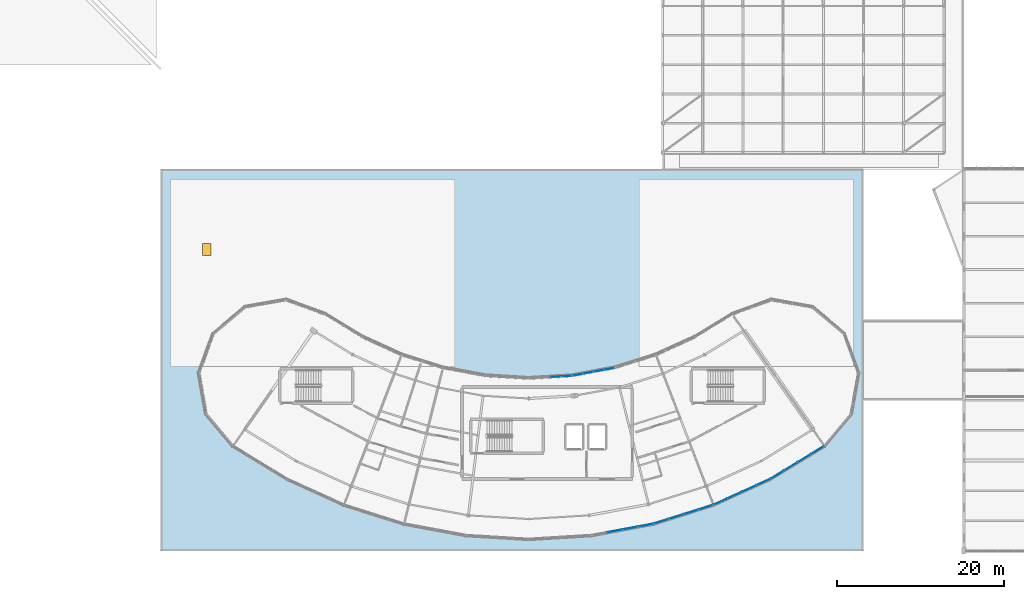
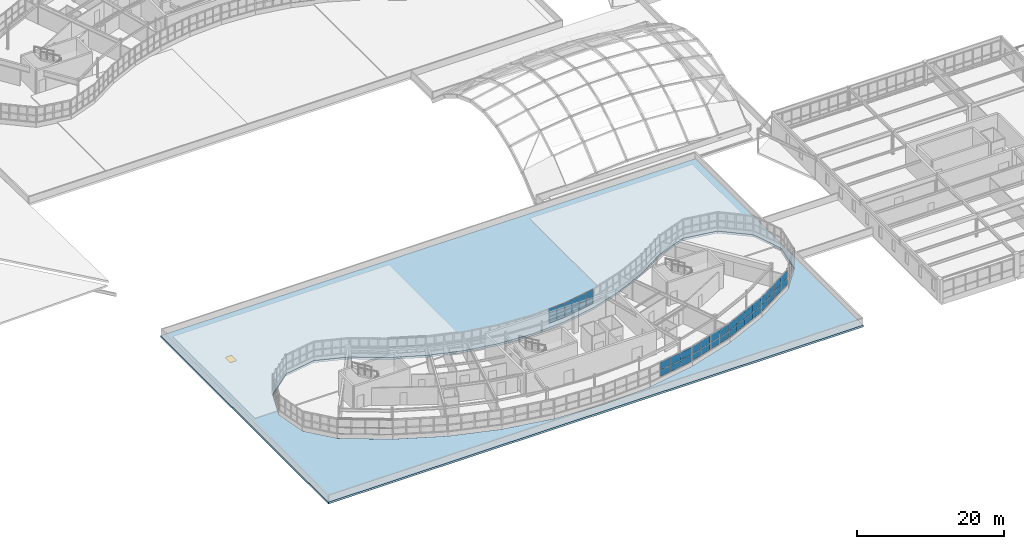
# One storey, part 70 of 128: 42 plates, 1 door, 1 slab, 1 opening, 6 elements without a shape of their own.
"""IFC4 building model written with IfcOpenShell, lengths in metres."""

import ifcopenshell
import ifcopenshell.guid

model = None  # the IFC model being written
_history = None  # IfcOwnerHistory: only IFC2X3 demands one
_inside = {}  # id of a spatial element -> (the spatial element, [elements in it])
_under = {}  # id of a project, library or spatial element -> (it, [spatial elements below it])
_declared = {}  # id of a project -> (the project, [libraries it declares])
_typed = {}  # id of a type object -> (the type object, [elements of that type])
_made_of = {}  # id of a material, layer set ... -> (it, [elements and type objects made of it])


def new_model(schema):
    """Start an empty IFC model of exactly this schema.

    Asked for "IFC4X3", IfcOpenShell would pick the latest addendum, in which some entities
    have other attributes; the version numbers below select the first issue.
    IFC2X3 requires an IfcOwnerHistory on every rooted entity: one is made here for all.
    """
    global model, _history
    if schema == "IFC4X3":
        model = ifcopenshell.file(schema_version=(4, 3, 0, 0))
    else:
        model = ifcopenshell.file(schema=schema)
    _inside.clear()
    _under.clear()
    _declared.clear()
    _typed.clear()
    _made_of.clear()
    _history = None
    if model.schema == "IFC2X3":
        org = make("IfcOrganization", Name="unknown")
        user = make(
            "IfcPersonAndOrganization",
            ThePerson=make("IfcPerson", FamilyName="unknown"),
            TheOrganization=org,
        )
        app = make(
            "IfcApplication",
            ApplicationDeveloper=org,
            Version="unknown",
            ApplicationFullName="unknown",
            ApplicationIdentifier="unknown",
        )
        _history = make(
            "IfcOwnerHistory",
            OwningUser=user,
            OwningApplication=app,
            ChangeAction="ADDED",
            CreationDate=0,
        )
    return model


def make(cls, **values):
    """One entity of the class cls with the attributes given. An attribute that is None is left unset."""
    return model.create_entity(
        cls, **{name: value for name, value in values.items() if value is not None}
    )


def rooted(cls, **values):
    """An entity with a GlobalId (a new one), such as an element, a storey or a relation."""
    return make(cls, GlobalId=ifcopenshell.guid.new(), OwnerHistory=_history, **values)


def si_unit(unit_type, name, prefix=None):
    """IfcSIUnit, for example si_unit("LENGTHUNIT", "METRE", prefix="MILLI")."""
    return make("IfcSIUnit", UnitType=unit_type, Prefix=prefix, Name=name)


def assignment(units):
    """IfcUnitAssignment: the units of a project."""
    return None if units is None else make("IfcUnitAssignment", Units=units)


def point(xyz):
    """IfcCartesianPoint."""
    return None if xyz is None else make("IfcCartesianPoint", Coordinates=xyz)


def direction(xyz):
    """IfcDirection."""
    return None if xyz is None else make("IfcDirection", DirectionRatios=xyz)


def frame(location, z_axis=None, x_axis=None):
    """IfcAxis2Placement3D, a coordinate frame: its origin and axes. An axis left out is left unset."""
    return make(
        "IfcAxis2Placement3D",
        Location=point(location),
        Axis=direction(z_axis),
        RefDirection=direction(x_axis),
    )


def frame_2d(location, x_axis=None):
    """IfcAxis2Placement2D, a coordinate frame in the plane: its origin and x axis."""
    return make(
        "IfcAxis2Placement2D", Location=point(location), RefDirection=direction(x_axis)
    )


def origin():
    """The frame at (0, 0, 0) with its axes left unset."""
    return frame((0.0, 0.0, 0.0))


def origin_2d():
    """The frame at (0, 0) in the plane with its x axis left unset."""
    return frame_2d((0.0, 0.0))


def place(relative_to, where):
    """IfcLocalPlacement: puts the frame where relative to a parent placement (None: the world)."""
    return make(
        "IfcLocalPlacement", PlacementRelTo=relative_to, RelativePlacement=where
    )


def context(
    kind, dimensions, precision=None, world=None, true_north=None, identifier=None
):
    """IfcGeometricRepresentationContext, for example the 3D "Model" context."""
    return make(
        "IfcGeometricRepresentationContext",
        ContextIdentifier=identifier,
        ContextType=kind,
        CoordinateSpaceDimension=dimensions,
        Precision=precision,
        WorldCoordinateSystem=world,
        TrueNorth=true_north,
    )


def subcontext(parent, identifier, kind, view, scale=None):
    """IfcGeometricRepresentationSubContext, for example "Body" below "Model"."""
    return make(
        "IfcGeometricRepresentationSubContext",
        ContextIdentifier=identifier,
        ContextType=kind,
        ParentContext=parent,
        TargetScale=scale,
        TargetView=view,
    )


def project(units=None, contexts=None):
    """IfcProject with its units and contexts."""
    return rooted(
        "IfcProject",
        Name="project",
        RepresentationContexts=contexts,
        UnitsInContext=assignment(units),
    )


def spatial(cls, under=None, at=None, **own):
    """A site, building, storey or space (cls), placed at a placement, below another one or the project."""
    s = rooted(cls, ObjectPlacement=at, **own)
    if under is not None:
        _under.setdefault(under.id(), (under, []))[1].append(s)
    return s


def polyline(points):
    """IfcPolyline through the points."""
    return make("IfcPolyline", Points=[point(p) for p in points])


def profile(cls, at=None, kind="AREA", **sizes):
    """A parametric profile (cls). Its sizes go by their IFC names, for example OverallWidth=200.0."""
    return make(cls, ProfileType=kind, Position=at, **sizes)


def rectangle(**sizes):
    """IfcRectangleProfileDef."""
    return profile("IfcRectangleProfileDef", **sizes)


def outline(outer, holes=None, kind="AREA"):
    """IfcArbitraryClosedProfileDef: a profile drawn as a closed curve; with holes, ...WithVoids."""
    if holes is None:
        return make("IfcArbitraryClosedProfileDef", ProfileType=kind, OuterCurve=outer)
    return make(
        "IfcArbitraryProfileDefWithVoids",
        ProfileType=kind,
        OuterCurve=outer,
        InnerCurves=holes,
    )


def extrude(swept, where, along, depth):
    """IfcExtrudedAreaSolid: the profile swept, set in the frame where, extruded along a direction by depth."""
    return make(
        "IfcExtrudedAreaSolid",
        SweptArea=swept,
        Position=where,
        ExtrudedDirection=direction(along),
        Depth=depth,
    )


def shape(context_of_items, identifier, shape_type, items):
    """IfcShapeRepresentation: the items that make up one representation, for example the "Body"."""
    return make(
        "IfcShapeRepresentation",
        ContextOfItems=context_of_items,
        RepresentationIdentifier=identifier,
        RepresentationType=shape_type,
        Items=items,
    )


def material(Name=None, Category=None):
    """IfcMaterial."""
    return make("IfcMaterial", Name=Name, Category=Category)


def layer(
    of_material, thickness, ventilated=None, Name=None, Category=None, Priority=None
):
    """IfcMaterialLayer: one layer of a wall or slab, of a material (None: an air gap)."""
    return make(
        "IfcMaterialLayer",
        Material=of_material,
        LayerThickness=thickness,
        IsVentilated=ventilated,
        Name=Name,
        Category=Category,
        Priority=Priority,
    )


def layer_set(layers, Name=None):
    """IfcMaterialLayerSet."""
    return make("IfcMaterialLayerSet", MaterialLayers=layers, LayerSetName=Name)


def made_of(thing, what):
    """Note that an element or type object is made of a material, layer set ...; save() writes the relation."""
    if what is not None:
        _made_of.setdefault(what.id(), (what, []))[1].append(thing)
    return thing


def type_object(cls, material=None, **own):
    """A type object (cls), such as IfcWallType, which elements share."""
    return made_of(rooted(cls, **own), material)


def element(
    cls,
    number,
    at=None,
    inside=None,
    cuts=None,
    type_object=None,
    material=None,
    context=None,
    identifier="Body",
    shape_type=None,
    held_by="IfcProductDefinitionShape",
    body=None,
    shapes=None,
    **own,
):
    """One element of the class cls, such as IfcWall. Its Tag is "e" and its number.

    at: its placement. inside: the storey or other place that contains it. cuts: it is an
    opening in that element (IfcRelVoidsElement). A single representation is given by context,
    identifier, shape_type and body (its items); several are given by shapes. held_by: the class
    of the entity that holds the representations. save() writes the other relations.
    """
    e = rooted(cls, Tag="e%d" % number, ObjectPlacement=at, **own)
    if body is not None:
        shapes = [shape(context, identifier, shape_type, body)]
    if shapes is not None:
        e.Representation = make(held_by, Representations=shapes)
    if inside is not None:
        _inside.setdefault(inside.id(), (inside, []))[1].append(e)
    if cuts is not None:
        rooted(
            "IfcRelVoidsElement", RelatingBuildingElement=cuts, RelatedOpeningElement=e
        )
    if type_object is not None:
        _typed.setdefault(type_object.id(), (type_object, []))[1].append(e)
    return made_of(e, material)


def fill(opening, filler):
    """IfcRelFillsElement: the door or window that sits in an opening."""
    return rooted(
        "IfcRelFillsElement",
        RelatingOpeningElement=opening,
        RelatedBuildingElement=filler,
    )


def aggregate(whole, parts):
    """IfcRelAggregates: a whole, such as a stair, and the parts it consists of."""
    return rooted("IfcRelAggregates", RelatingObject=whole, RelatedObjects=parts)


def save(model, path):
    """Write the relations noted so far, then the file.

    IfcRelAggregates (storeys below a building ...), IfcRelContainedInSpatialStructure (elements
    in a storey), IfcRelDefinesByType, IfcRelAssociatesMaterial and IfcRelDeclares: one each for
    every whole, place, type object, material and project.
    """
    for whole, parts in _under.values():
        aggregate(whole, parts)
    for where, things in _inside.values():
        rooted(
            "IfcRelContainedInSpatialStructure",
            RelatedElements=things,
            RelatingStructure=where,
        )
    for kind, things in _typed.values():
        rooted("IfcRelDefinesByType", RelatedObjects=things, RelatingType=kind)
    for what, things in _made_of.values():
        rooted("IfcRelAssociatesMaterial", RelatedObjects=things, RelatingMaterial=what)
    for by, libraries in _declared.values():
        rooted("IfcRelDeclares", RelatingContext=by, RelatedDefinitions=libraries)
    model.write(path)


model = new_model("IFC4")

# Units and contexts
model_context = context("Model", 3, precision=1e-05, world=origin(), true_north=direction((0.0, 1.0)))
body_context = subcontext(model_context, "Body", "Model", "MODEL_VIEW")
ifc_project = project(units=[si_unit("LENGTHUNIT", "METRE"), si_unit("AREAUNIT", "SQUARE_METRE"), si_unit("VOLUMEUNIT", "CUBIC_METRE"), si_unit("PLANEANGLEUNIT", "RADIAN"), si_unit("MASSUNIT", "GRAM", prefix="KILO")], contexts=[model_context])

# Site, building, storey
site_placement = place(None, origin())
site = spatial("IfcSite", under=ifc_project, at=site_placement, CompositionType="ELEMENT")
building_placement = place(site_placement, origin())
building = spatial("IfcBuilding", under=site, at=building_placement, Name="Tarnwether General Hospital", CompositionType="ELEMENT")
storey_placement = place(building_placement, frame((0.0, 0.0, 14.39990234375)))
storey = spatial("IfcBuildingStorey", under=building, at=storey_placement, Name="L03", CompositionType="ELEMENT", Elevation=14.39990234375)

# Curtain wall, plates
ifc_material_1 = material(Name="Anodised aluminium", Category="aluminium")
ifc_layer_1 = layer(ifc_material_1, 0.179931640625)
ifc_layer_set_1 = layer_set([ifc_layer_1], Name="Anodised aluminium")
curtain_wall_type_1 = type_object("IfcCurtainWallType", Name="CW-08", PredefinedType="NOTDEFINED", material=ifc_layer_set_1)
curtain_wall_1_placement = place(storey_placement, origin())
curtain_wall_1 = element("IfcCurtainWall", 1, at=curtain_wall_1_placement, inside=storey, type_object=curtain_wall_type_1, Name="Curtain Wall CWG-L03-1141_55-0161", PredefinedType="NOTDEFINED")
ifc_material_2 = material(Name="Double glazed low-E glass", Category="glass")
ifc_layer_2 = layer(ifc_material_2, 0.028076171875)
ifc_layer_set_2 = layer_set([ifc_layer_2], Name="Double glazed low-E glass")
plate_type_1 = type_object("IfcPlateType", Name="PT-CWP1", PredefinedType="CURTAIN_PANEL", material=ifc_layer_set_2)
plate_1_placement = place(storey_placement, frame((113.1591796875, 5.202392578125, 1.1298828125), z_axis=(0.0, 0.0, 1.0), x_axis=(-0.953741284032, -0.300628613299, 0.0)))
plate_1 = element("IfcPlate", 2, at=plate_1_placement, type_object=plate_type_1, Name="CW-08 panel 1.1", PredefinedType="CURTAIN_PANEL", context=body_context, shape_type="SweptSolid", body=[
    extrude(rectangle(XDim=1.76025390625, YDim=0.028076171875, at=origin_2d()), origin(), (0.0, 0.0, 1.0), 1.009521484375),
])
plate_2_placement = place(storey_placement, frame((113.1591796875, 5.202392578125, 2.2197265625), z_axis=(0.0, 0.0, 1.0), x_axis=(-0.953741284032, -0.300628613299, 0.0)))
plate_2 = element("IfcPlate", 3, at=plate_2_placement, type_object=plate_type_1, Name="CW-08 panel 1.2", PredefinedType="CURTAIN_PANEL", context=body_context, shape_type="SweptSolid", body=[
    extrude(rectangle(XDim=1.76025390625, YDim=0.028076171875, at=origin_2d()), origin(), (0.0, 0.0, 1.0), 1.260498046875),
])
plate_3_placement = place(storey_placement, frame((111.385009765625, 4.64306640625, 1.1298828125), z_axis=(0.0, 0.0, 1.0), x_axis=(-0.953741284032, -0.300628613299, 0.0)))
plate_3 = element("IfcPlate", 4, at=plate_3_placement, type_object=plate_type_1, Name="CW-08 panel 2.1", PredefinedType="CURTAIN_PANEL", context=body_context, shape_type="SweptSolid", body=[
    extrude(rectangle(XDim=1.80029296875, YDim=0.028076171875, at=origin_2d()), origin(), (0.0, 0.0, 1.0), 1.009521484375),
])
plate_4_placement = place(storey_placement, frame((111.385009765625, 4.64306640625, 2.2197265625), z_axis=(0.0, 0.0, 1.0), x_axis=(-0.953741284032, -0.300628613299, 0.0)))
plate_4 = element("IfcPlate", 5, at=plate_4_placement, type_object=plate_type_1, Name="CW-08 panel 2.2", PredefinedType="CURTAIN_PANEL", context=body_context, shape_type="SweptSolid", body=[
    extrude(rectangle(XDim=1.80029296875, YDim=0.028076171875, at=origin_2d()), origin(), (0.0, 0.0, 1.0), 1.260498046875),
])
plate_5_placement = place(storey_placement, frame((109.591796875, 4.077880859375, 1.1298828125), z_axis=(0.0, 0.0, 1.0), x_axis=(-0.953741284032, -0.300628613299, 0.0)))
plate_5 = element("IfcPlate", 6, at=plate_5_placement, type_object=plate_type_1, Name="CW-08 panel 3.1", PredefinedType="CURTAIN_PANEL", context=body_context, shape_type="SweptSolid", body=[
    extrude(rectangle(XDim=1.80029296875, YDim=0.028076171875, at=origin_2d()), origin(), (0.0, 0.0, 1.0), 1.009521484375),
])
plate_6_placement = place(storey_placement, frame((109.591796875, 4.077880859375, 2.2197265625), z_axis=(0.0, 0.0, 1.0), x_axis=(-0.953741284032, -0.300628613299, 0.0)))
plate_6 = element("IfcPlate", 7, at=plate_6_placement, type_object=plate_type_1, Name="CW-08 panel 3.2", PredefinedType="CURTAIN_PANEL", context=body_context, shape_type="SweptSolid", body=[
    extrude(rectangle(XDim=1.80029296875, YDim=0.028076171875, at=origin_2d()), origin(), (0.0, 0.0, 1.0), 1.260498046875),
])
plate_7_placement = place(storey_placement, frame((107.817626953125, 3.5185546875, 1.1298828125), z_axis=(0.0, 0.0, 1.0), x_axis=(-0.953741284032, -0.300628613299, 0.0)))
plate_7 = element("IfcPlate", 8, at=plate_7_placement, type_object=plate_type_1, Name="CW-08 panel 4.1", PredefinedType="CURTAIN_PANEL", context=body_context, shape_type="SweptSolid", body=[
    extrude(rectangle(XDim=1.76025390625, YDim=0.028076171875, at=origin_2d()), origin(), (0.0, 0.0, 1.0), 1.009521484375),
])
plate_8_placement = place(storey_placement, frame((107.817626953125, 3.5185546875, 2.2197265625), z_axis=(0.0, 0.0, 1.0), x_axis=(-0.953741284032, -0.300628613299, 0.0)))
plate_8 = element("IfcPlate", 9, at=plate_8_placement, type_object=plate_type_1, Name="CW-08 panel 4.2", PredefinedType="CURTAIN_PANEL", context=body_context, shape_type="SweptSolid", body=[
    extrude(rectangle(XDim=1.76025390625, YDim=0.028076171875, at=origin_2d()), origin(), (0.0, 0.0, 1.0), 1.260498046875),
])
aggregate(curtain_wall_1, [plate_1, plate_2, plate_3, plate_4, plate_5, plate_6, plate_7, plate_8])

curtain_wall_2_placement = place(storey_placement, origin())
curtain_wall_2 = element("IfcCurtainWall", 10, at=curtain_wall_2_placement, inside=storey, type_object=curtain_wall_type_1, Name="Curtain Wall CWG-L03-1209_86-0162", PredefinedType="NOTDEFINED")
plate_9_placement = place(storey_placement, frame((120.0498046875, 8.2138671875, 1.110107421875), z_axis=(0.0, 0.0, 1.0), x_axis=(-0.909960793886, -0.414694289316, 0.0)))
plate_9 = element("IfcPlate", 11, at=plate_9_placement, type_object=plate_type_1, Name="CW-08 panel 1.1", PredefinedType="CURTAIN_PANEL", context=body_context, shape_type="SweptSolid", body=[
    extrude(rectangle(XDim=1.790283203125, YDim=0.028076171875, at=origin_2d()), origin(), (0.0, 0.0, 1.0), 1.03955078125),
])
plate_10_placement = place(storey_placement, frame((120.0498046875, 8.2138671875, 2.20947265625), z_axis=(0.0, 0.0, 1.0), x_axis=(-0.909960793886, -0.414694289316, 0.0)))
plate_10 = element("IfcPlate", 12, at=plate_10_placement, type_object=plate_type_1, Name="CW-08 panel 1.2", PredefinedType="CURTAIN_PANEL", context=body_context, shape_type="SweptSolid", body=[
    extrude(rectangle(XDim=1.790283203125, YDim=0.028076171875, at=origin_2d()), origin(), (0.0, 0.0, 1.0), 1.29052734375),
])
plate_11_placement = place(storey_placement, frame((118.3525390625, 7.4404296875, 1.110107421875), z_axis=(0.0, 0.0, 1.0), x_axis=(-0.909960793886, -0.414694289316, 0.0)))
plate_11 = element("IfcPlate", 13, at=plate_11_placement, type_object=plate_type_1, Name="CW-08 panel 2.1", PredefinedType="CURTAIN_PANEL", context=body_context, shape_type="SweptSolid", body=[
    extrude(rectangle(XDim=1.8203125, YDim=0.028076171875, at=origin_2d()), origin(), (0.0, 0.0, 1.0), 1.03955078125),
])
plate_12_placement = place(storey_placement, frame((118.3525390625, 7.4404296875, 2.20947265625), z_axis=(0.0, 0.0, 1.0), x_axis=(-0.909960793886, -0.414694289316, 0.0)))
plate_12 = element("IfcPlate", 14, at=plate_12_placement, type_object=plate_type_1, Name="CW-08 panel 2.2", PredefinedType="CURTAIN_PANEL", context=body_context, shape_type="SweptSolid", body=[
    extrude(rectangle(XDim=1.8203125, YDim=0.028076171875, at=origin_2d()), origin(), (0.0, 0.0, 1.0), 1.29052734375),
])
plate_13_placement = place(storey_placement, frame((116.6416015625, 6.66064453125, 1.110107421875), z_axis=(0.0, 0.0, 1.0), x_axis=(-0.909960793886, -0.414694289316, 0.0)))
plate_13 = element("IfcPlate", 15, at=plate_13_placement, type_object=plate_type_1, Name="CW-08 panel 3.1", PredefinedType="CURTAIN_PANEL", context=body_context, shape_type="SweptSolid", body=[
    extrude(rectangle(XDim=1.8203125, YDim=0.028076171875, at=origin_2d()), origin(), (0.0, 0.0, 1.0), 1.03955078125),
])
plate_14_placement = place(storey_placement, frame((116.6416015625, 6.66064453125, 2.20947265625), z_axis=(0.0, 0.0, 1.0), x_axis=(-0.909960793886, -0.414694289316, 0.0)))
plate_14 = element("IfcPlate", 16, at=plate_14_placement, type_object=plate_type_1, Name="CW-08 panel 3.2", PredefinedType="CURTAIN_PANEL", context=body_context, shape_type="SweptSolid", body=[
    extrude(rectangle(XDim=1.8203125, YDim=0.028076171875, at=origin_2d()), origin(), (0.0, 0.0, 1.0), 1.29052734375),
])
plate_15_placement = place(storey_placement, frame((114.944091796875, 5.88720703125, 1.110107421875), z_axis=(0.0, 0.0, 1.0), x_axis=(-0.909960793886, -0.414694289316, 0.0)))
plate_15 = element("IfcPlate", 17, at=plate_15_placement, type_object=plate_type_1, Name="CW-08 panel 4.1", PredefinedType="CURTAIN_PANEL", context=body_context, shape_type="SweptSolid", body=[
    extrude(rectangle(XDim=1.790283203125, YDim=0.028076171875, at=origin_2d()), origin(), (0.0, 0.0, 1.0), 1.03955078125),
])
plate_16_placement = place(storey_placement, frame((114.944091796875, 5.88720703125, 2.20947265625), z_axis=(0.0, 0.0, 1.0), x_axis=(-0.909960793886, -0.414694289316, 0.0)))
plate_16 = element("IfcPlate", 18, at=plate_16_placement, type_object=plate_type_1, Name="CW-08 panel 4.2", PredefinedType="CURTAIN_PANEL", context=body_context, shape_type="SweptSolid", body=[
    extrude(rectangle(XDim=1.790283203125, YDim=0.028076171875, at=origin_2d()), origin(), (0.0, 0.0, 1.0), 1.29052734375),
])
aggregate(curtain_wall_2, [plate_9, plate_10, plate_11, plate_12, plate_13, plate_14, plate_15, plate_16])

ifc_material_3 = material(Name="Anodised aluminium", Category="aluminium")
ifc_layer_3 = layer(ifc_material_3, 0.159912109375)
ifc_layer_set_3 = layer_set([ifc_layer_3], Name="Anodised aluminium")
curtain_wall_type_2 = type_object("IfcCurtainWallType", Name="CW-04", PredefinedType="NOTDEFINED", material=ifc_layer_set_3)
curtain_wall_3_placement = place(storey_placement, origin())
curtain_wall_3 = element("IfcCurtainWall", 19, at=curtain_wall_3_placement, inside=storey, type_object=curtain_wall_type_2, Name="Curtain Wall CWG-L03-972_209-0173", PredefinedType="NOTDEFINED")
plate_17_placement = place(storey_placement, frame((97.822998046875, 21.03759765625, 1.1298828125), z_axis=(0.0, 0.0, 1.0), x_axis=(0.983267910924, 0.182165351666, 0.0)))
plate_17 = element("IfcPlate", 20, at=plate_17_placement, type_object=plate_type_1, Name="CW-04 panel 1.1", PredefinedType="CURTAIN_PANEL", context=body_context, shape_type="SweptSolid", body=[
    extrude(rectangle(XDim=1.174072265625, YDim=0.028076171875, at=origin_2d()), origin(), (0.0, 0.0, 1.0), 1.009521484375),
])
plate_18_placement = place(storey_placement, frame((97.822998046875, 21.03759765625, 2.2197265625), z_axis=(0.0, 0.0, 1.0), x_axis=(0.983267910924, 0.182165351666, 0.0)))
plate_18 = element("IfcPlate", 21, at=plate_18_placement, type_object=plate_type_1, Name="CW-04 panel 1.2", PredefinedType="CURTAIN_PANEL", context=body_context, shape_type="SweptSolid", body=[
    extrude(rectangle(XDim=1.174072265625, YDim=0.028076171875, at=origin_2d()), origin(), (0.0, 0.0, 1.0), 1.260498046875),
])
plate_19_placement = place(storey_placement, frame((99.07568359375, 21.26953125, 1.1298828125), z_axis=(0.0, 0.0, 1.0), x_axis=(0.983267910924, 0.182165351666, 0.0)))
plate_19 = element("IfcPlate", 22, at=plate_19_placement, type_object=plate_type_1, Name="CW-04 panel 2.1", PredefinedType="CURTAIN_PANEL", context=body_context, shape_type="SweptSolid", body=[
    extrude(rectangle(XDim=1.214111328125, YDim=0.028076171875, at=origin_2d()), origin(), (0.0, 0.0, 1.0), 1.009521484375),
])
plate_20_placement = place(storey_placement, frame((99.07568359375, 21.26953125, 2.2197265625), z_axis=(0.0, 0.0, 1.0), x_axis=(0.983267910924, 0.182165351666, 0.0)))
plate_20 = element("IfcPlate", 23, at=plate_20_placement, type_object=plate_type_1, Name="CW-04 panel 2.2", PredefinedType="CURTAIN_PANEL", context=body_context, shape_type="SweptSolid", body=[
    extrude(rectangle(XDim=1.214111328125, YDim=0.028076171875, at=origin_2d()), origin(), (0.0, 0.0, 1.0), 1.260498046875),
])
plate_21_placement = place(storey_placement, frame((100.34814453125, 21.50537109375, 1.1298828125), z_axis=(0.0, 0.0, 1.0), x_axis=(0.983267910924, 0.182165351666, 0.0)))
plate_21 = element("IfcPlate", 24, at=plate_21_placement, type_object=plate_type_1, Name="CW-04 panel 3.1", PredefinedType="CURTAIN_PANEL", context=body_context, shape_type="SweptSolid", body=[
    extrude(rectangle(XDim=1.214111328125, YDim=0.028076171875, at=origin_2d()), origin(), (0.0, 0.0, 1.0), 1.009521484375),
])
plate_22_placement = place(storey_placement, frame((100.34814453125, 21.50537109375, 2.2197265625), z_axis=(0.0, 0.0, 1.0), x_axis=(0.983267910924, 0.182165351666, 0.0)))
plate_22 = element("IfcPlate", 25, at=plate_22_placement, type_object=plate_type_1, Name="CW-04 panel 3.2", PredefinedType="CURTAIN_PANEL", context=body_context, shape_type="SweptSolid", body=[
    extrude(rectangle(XDim=1.214111328125, YDim=0.028076171875, at=origin_2d()), origin(), (0.0, 0.0, 1.0), 1.260498046875),
])
plate_23_placement = place(storey_placement, frame((101.60107421875, 21.737548828125, 1.1298828125), z_axis=(0.0, 0.0, 1.0), x_axis=(0.983267910924, 0.182165351666, 0.0)))
plate_23 = element("IfcPlate", 26, at=plate_23_placement, type_object=plate_type_1, Name="CW-04 panel 4.1", PredefinedType="CURTAIN_PANEL", context=body_context, shape_type="SweptSolid", body=[
    extrude(rectangle(XDim=1.174072265625, YDim=0.028076171875, at=origin_2d()), origin(), (0.0, 0.0, 1.0), 1.009521484375),
])
plate_24_placement = place(storey_placement, frame((101.60107421875, 21.737548828125, 2.2197265625), z_axis=(0.0, 0.0, 1.0), x_axis=(0.983267910924, 0.182165351666, 0.0)))
plate_24 = element("IfcPlate", 27, at=plate_24_placement, type_object=plate_type_1, Name="CW-04 panel 4.2", PredefinedType="CURTAIN_PANEL", context=body_context, shape_type="SweptSolid", body=[
    extrude(rectangle(XDim=1.174072265625, YDim=0.028076171875, at=origin_2d()), origin(), (0.0, 0.0, 1.0), 1.260498046875),
])
aggregate(curtain_wall_3, [plate_17, plate_18, plate_19, plate_20, plate_21, plate_22, plate_23, plate_24])

curtain_wall_4_placement = place(storey_placement, origin())
curtain_wall_4 = element("IfcCurtainWall", 28, at=curtain_wall_4_placement, inside=storey, type_object=curtain_wall_type_2, Name="Curtain Wall CWG-L03-920_206-0174", PredefinedType="NOTDEFINED")
plate_25_placement = place(storey_placement, frame((95.2294921875, 20.797607421875, 1.110107421875), z_axis=(0.0, 0.0, 1.0), x_axis=(0.998135119267, 0.06104329354, 0.0)))
plate_25 = element("IfcPlate", 29, at=plate_25_placement, type_object=plate_type_1, Name="CW-04 panel 3.1", PredefinedType="CURTAIN_PANEL", context=body_context, shape_type="SweptSolid", body=[
    extrude(rectangle(XDim=1.234130859375, YDim=0.028076171875, at=origin_2d()), origin(), (0.0, 0.0, 1.0), 1.03955078125),
])
plate_26_placement = place(storey_placement, frame((95.2294921875, 20.797607421875, 2.20947265625), z_axis=(0.0, 0.0, 1.0), x_axis=(0.998135119267, 0.06104329354, 0.0)))
plate_26 = element("IfcPlate", 30, at=plate_26_placement, type_object=plate_type_1, Name="CW-04 panel 3.2", PredefinedType="CURTAIN_PANEL", context=body_context, shape_type="SweptSolid", body=[
    extrude(rectangle(XDim=1.234130859375, YDim=0.028076171875, at=origin_2d()), origin(), (0.0, 0.0, 1.0), 1.29052734375),
])
plate_27_placement = place(storey_placement, frame((96.506103515625, 20.87548828125, 1.110107421875), z_axis=(0.0, 0.0, 1.0), x_axis=(0.998135119267, 0.06104329354, 0.0)))
plate_27 = element("IfcPlate", 31, at=plate_27_placement, type_object=plate_type_1, Name="CW-04 panel 4.1", PredefinedType="CURTAIN_PANEL", context=body_context, shape_type="SweptSolid", body=[
    extrude(rectangle(XDim=1.2041015625, YDim=0.028076171875, at=origin_2d()), origin(), (0.0, 0.0, 1.0), 1.03955078125),
])
plate_28_placement = place(storey_placement, frame((96.506103515625, 20.87548828125, 2.20947265625), z_axis=(0.0, 0.0, 1.0), x_axis=(0.998135119267, 0.06104329354, 0.0)))
plate_28 = element("IfcPlate", 32, at=plate_28_placement, type_object=plate_type_1, Name="CW-04 panel 4.2", PredefinedType="CURTAIN_PANEL", context=body_context, shape_type="SweptSolid", body=[
    extrude(rectangle(XDim=1.2041015625, YDim=0.028076171875, at=origin_2d()), origin(), (0.0, 0.0, 1.0), 1.29052734375),
])
aggregate(curtain_wall_4, [plate_25, plate_26, plate_27, plate_28])

curtain_wall_5_placement = place(storey_placement, origin())
curtain_wall_5 = element("IfcCurtainWall", 33, at=curtain_wall_5_placement, inside=storey, type_object=curtain_wall_type_1, Name="Curtain Wall CWG-L03-1069_32-0160", PredefinedType="NOTDEFINED")
ifc_material_4 = material(Name="Double glazed low-E glass", Category="glass")
ifc_layer_4 = layer(ifc_material_4, 0.035888671875)
ifc_layer_set_4 = layer_set([ifc_layer_4], Name="Double glazed low-E glass")
plate_type_2 = type_object("IfcPlateType", Name="PT-CWP2", PredefinedType="CURTAIN_PANEL", material=ifc_layer_set_4)
plate_29_placement = place(storey_placement, frame((105.961669921875, 3.0556640625, 1.115234375), z_axis=(0.0, 0.0, 1.0), x_axis=(-0.983244953132, -0.182289226614, 0.0)))
plate_29 = element("IfcPlate", 34, at=plate_29_placement, type_object=plate_type_2, Name="CW-08 panel 1.1", PredefinedType="CURTAIN_PANEL", context=body_context, shape_type="SweptSolid", body=[
    extrude(rectangle(XDim=1.78271484375, YDim=0.035888671875, at=origin_2d()), origin(), (0.0, 0.0, 1.0), 1.031982421875),
])
plate_30_placement = place(storey_placement, frame((105.961669921875, 3.0556640625, 2.2119140625), z_axis=(0.0, 0.0, 1.0), x_axis=(-0.983244953132, -0.182289226614, 0.0)))
plate_30 = element("IfcPlate", 35, at=plate_30_placement, type_object=plate_type_2, Name="CW-08 panel 1.2", PredefinedType="CURTAIN_PANEL", context=body_context, shape_type="SweptSolid", body=[
    extrude(rectangle(XDim=1.78271484375, YDim=0.035888671875, at=origin_2d()), origin(), (0.0, 0.0, 1.0), 1.282958984375),
])
plate_31_placement = place(storey_placement, frame((104.12890625, 2.7158203125, 1.115234375), z_axis=(0.0, 0.0, 1.0), x_axis=(-0.983244953132, -0.182289226614, 0.0)))
plate_31 = element("IfcPlate", 36, at=plate_31_placement, type_object=plate_type_2, Name="CW-08 panel 2.1", PredefinedType="CURTAIN_PANEL", context=body_context, shape_type="SweptSolid", body=[
    extrude(rectangle(XDim=1.815185546875, YDim=0.035888671875, at=origin_2d()), origin(), (0.0, 0.0, 1.0), 1.031982421875),
])
plate_32_placement = place(storey_placement, frame((104.12890625, 2.7158203125, 2.2119140625), z_axis=(0.0, 0.0, 1.0), x_axis=(-0.983244953132, -0.182289226614, 0.0)))
plate_32 = element("IfcPlate", 37, at=plate_32_placement, type_object=plate_type_2, Name="CW-08 panel 2.2", PredefinedType="CURTAIN_PANEL", context=body_context, shape_type="SweptSolid", body=[
    extrude(rectangle(XDim=1.815185546875, YDim=0.035888671875, at=origin_2d()), origin(), (0.0, 0.0, 1.0), 1.282958984375),
])
plate_33_placement = place(storey_placement, frame((102.280029296875, 2.373046875, 1.115234375), z_axis=(0.0, 0.0, 1.0), x_axis=(-0.983244953132, -0.182289226614, 0.0)))
plate_33 = element("IfcPlate", 38, at=plate_33_placement, type_object=plate_type_2, Name="CW-08 panel 3.1", PredefinedType="CURTAIN_PANEL", context=body_context, shape_type="SweptSolid", body=[
    extrude(rectangle(XDim=1.815185546875, YDim=0.035888671875, at=origin_2d()), origin(), (0.0, 0.0, 1.0), 1.031982421875),
])
plate_34_placement = place(storey_placement, frame((102.280029296875, 2.373046875, 2.2119140625), z_axis=(0.0, 0.0, 1.0), x_axis=(-0.983244953132, -0.182289226614, 0.0)))
plate_34 = element("IfcPlate", 39, at=plate_34_placement, type_object=plate_type_2, Name="CW-08 panel 3.2", PredefinedType="CURTAIN_PANEL", context=body_context, shape_type="SweptSolid", body=[
    extrude(rectangle(XDim=1.815185546875, YDim=0.035888671875, at=origin_2d()), origin(), (0.0, 0.0, 1.0), 1.282958984375),
])
aggregate(curtain_wall_5, [plate_29, plate_30, plate_31, plate_32, plate_33, plate_34])

curtain_wall_6_placement = place(storey_placement, origin())
curtain_wall_6 = element("IfcCurtainWall", 40, at=curtain_wall_6_placement, inside=storey, type_object=curtain_wall_type_1, Name="Curtain Wall CWG-L03-1273_125-0163", PredefinedType="NOTDEFINED")
plate_35_placement = place(storey_placement, frame((126.515380859375, 12.03955078125, 1.1201171875), z_axis=(0.0, 0.0, 1.0), x_axis=(-0.852633734977, -0.522509056361, 0.0)))
plate_35 = element("IfcPlate", 41, at=plate_35_placement, type_object=plate_type_2, Name="CW-08 panel 1.1", PredefinedType="CURTAIN_PANEL", context=body_context, shape_type="SweptSolid", body=[
    extrude(rectangle(XDim=1.775390625, YDim=0.035888671875, at=origin_2d()), origin(), (0.0, 0.0, 1.0), 1.0244140625),
])
plate_36_placement = place(storey_placement, frame((126.515380859375, 12.03955078125, 2.214599609375), z_axis=(0.0, 0.0, 1.0), x_axis=(-0.852633734977, -0.522509056361, 0.0)))
plate_36 = element("IfcPlate", 42, at=plate_36_placement, type_object=plate_type_2, Name="CW-08 panel 1.2", PredefinedType="CURTAIN_PANEL", context=body_context, shape_type="SweptSolid", body=[
    extrude(rectangle(XDim=1.775390625, YDim=0.035888671875, at=origin_2d()), origin(), (0.0, 0.0, 1.0), 1.275390625),
])
plate_37_placement = place(storey_placement, frame((124.92724609375, 11.066162109375, 1.1201171875), z_axis=(0.0, 0.0, 1.0), x_axis=(-0.852633734977, -0.522509056361, 0.0)))
plate_37 = element("IfcPlate", 43, at=plate_37_placement, type_object=plate_type_2, Name="CW-08 panel 2.1", PredefinedType="CURTAIN_PANEL", context=body_context, shape_type="SweptSolid", body=[
    extrude(rectangle(XDim=1.810302734375, YDim=0.035888671875, at=origin_2d()), origin(), (0.0, 0.0, 1.0), 1.0244140625),
])
plate_38_placement = place(storey_placement, frame((124.92724609375, 11.066162109375, 2.214599609375), z_axis=(0.0, 0.0, 1.0), x_axis=(-0.852633734977, -0.522509056361, 0.0)))
plate_38 = element("IfcPlate", 44, at=plate_38_placement, type_object=plate_type_2, Name="CW-08 panel 2.2", PredefinedType="CURTAIN_PANEL", context=body_context, shape_type="SweptSolid", body=[
    extrude(rectangle(XDim=1.810302734375, YDim=0.035888671875, at=origin_2d()), origin(), (0.0, 0.0, 1.0), 1.275390625),
])
plate_39_placement = place(storey_placement, frame((123.323974609375, 10.083740234375, 1.1201171875), z_axis=(0.0, 0.0, 1.0), x_axis=(-0.852633734977, -0.522509056361, 0.0)))
plate_39 = element("IfcPlate", 45, at=plate_39_placement, type_object=plate_type_2, Name="CW-08 panel 3.1", PredefinedType="CURTAIN_PANEL", context=body_context, shape_type="SweptSolid", body=[
    extrude(rectangle(XDim=1.810302734375, YDim=0.035888671875, at=origin_2d()), origin(), (0.0, 0.0, 1.0), 1.0244140625),
])
plate_40_placement = place(storey_placement, frame((123.323974609375, 10.083740234375, 2.214599609375), z_axis=(0.0, 0.0, 1.0), x_axis=(-0.852633734977, -0.522509056361, 0.0)))
plate_40 = element("IfcPlate", 46, at=plate_40_placement, type_object=plate_type_2, Name="CW-08 panel 3.2", PredefinedType="CURTAIN_PANEL", context=body_context, shape_type="SweptSolid", body=[
    extrude(rectangle(XDim=1.810302734375, YDim=0.035888671875, at=origin_2d()), origin(), (0.0, 0.0, 1.0), 1.275390625),
])
plate_41_placement = place(storey_placement, frame((121.735595703125, 9.1103515625, 1.1201171875), z_axis=(0.0, 0.0, 1.0), x_axis=(-0.852633734977, -0.522509056361, 0.0)))
plate_41 = element("IfcPlate", 47, at=plate_41_placement, type_object=plate_type_2, Name="CW-08 panel 4.1", PredefinedType="CURTAIN_PANEL", context=body_context, shape_type="SweptSolid", body=[
    extrude(rectangle(XDim=1.775390625, YDim=0.035888671875, at=origin_2d()), origin(), (0.0, 0.0, 1.0), 1.0244140625),
])
plate_42_placement = place(storey_placement, frame((121.735595703125, 9.1103515625, 2.214599609375), z_axis=(0.0, 0.0, 1.0), x_axis=(-0.852633734977, -0.522509056361, 0.0)))
plate_42 = element("IfcPlate", 48, at=plate_42_placement, type_object=plate_type_2, Name="CW-08 panel 4.2", PredefinedType="CURTAIN_PANEL", context=body_context, shape_type="SweptSolid", body=[
    extrude(rectangle(XDim=1.775390625, YDim=0.035888671875, at=origin_2d()), origin(), (0.0, 0.0, 1.0), 1.275390625),
])
aggregate(curtain_wall_6, [plate_35, plate_36, plate_37, plate_38, plate_39, plate_40, plate_41, plate_42])

# Slab, opening, door
ifc_material_5 = material(Name="Concrete 40 MPa", Category="concrete")
ifc_layer_5 = layer(ifc_material_5, 0.330078125)
ifc_layer_set_5 = layer_set([ifc_layer_5], Name="Concrete 40 MPa")
slab_type = type_object("IfcSlabType", Name="SL-RF200", PredefinedType="ROOF", material=ifc_layer_set_5)
slab_placement = place(storey_placement, origin())
slab = element("IfcSlab", 49, at=slab_placement, inside=storey, type_object=slab_type, Name="L03 South Podium Roof SL-L03-PRFS", PredefinedType="ROOF", context=body_context, shape_type="SweptSolid", body=[
    extrude(outline(polyline([(48.0, 0.0), (48.0, 45.60009765625), (132.0, 45.60009765625), (132.0, 0.0), (48.0, 0.0)]), holes=[polyline([(56.633056640625, 12.50390625), (56.636962890625, 12.5), (56.64208984375, 12.4970703125), (63.054931640625, 8.56689453125), (63.06005859375, 8.56494140625), (69.904052734375, 5.446044921875), (69.909912109375, 5.443115234375), (77.0830078125, 3.181884765625), (77.089111328125, 3.180908203125), (84.48388671875, 1.81005859375), (84.489990234375, 1.80908203125), (91.9970703125, 1.35009765625), (92.0029296875, 1.35009765625), (99.510009765625, 1.80908203125), (99.51611328125, 1.81005859375), (106.910888671875, 3.180908203125), (106.9169921875, 3.181884765625), (114.090087890625, 5.443115234375), (114.095947265625, 5.446044921875), (120.93994140625, 8.56494140625), (120.945068359375, 8.56689453125), (127.35791015625, 12.4970703125), (127.363037109375, 12.5), (127.366943359375, 12.50390625), (127.3701171875, 12.508056640625), (130.56494140625, 16.31494140625), (130.568115234375, 16.319091796875), (130.571044921875, 16.323974609375), (130.572998046875, 16.327880859375), (130.574951171875, 16.3330078125), (130.575927734375, 16.337890625), (131.43798828125, 21.23193359375), (131.43896484375, 21.238037109375), (131.43896484375, 21.242919921875), (131.43896484375, 21.248046875), (131.43798828125, 21.2529296875), (131.43603515625, 21.258056640625), (129.737060546875, 25.927001953125), (129.735107421875, 25.931884765625), (129.73193359375, 25.93603515625), (129.72900390625, 25.94091796875), (129.72607421875, 25.945068359375), (129.721923828125, 25.947998046875), (125.9150390625, 29.14306640625), (125.910888671875, 29.14599609375), (125.906005859375, 29.14892578125), (125.902099609375, 29.15087890625), (125.89697265625, 29.153076171875), (125.89208984375, 29.154052734375), (120.998046875, 30.01708984375), (120.991943359375, 30.01806640625), (120.987060546875, 30.01806640625), (120.98193359375, 30.01806640625), (120.97705078125, 30.01708984375), (120.971923828125, 30.014892578125), (116.302978515625, 28.31494140625), (116.298095703125, 28.31298828125), (116.2939453125, 28.31103515625), (111.882080078125, 25.60693359375), (107.177001953125, 23.462890625), (102.2451171875, 21.907958984375), (97.160888671875, 20.966064453125), (92.0, 20.64990234375), (86.839111328125, 20.966064453125), (81.7548828125, 21.907958984375), (76.822998046875, 23.462890625), (72.117919921875, 25.60693359375), (67.7060546875, 28.31103515625), (67.701904296875, 28.31298828125), (67.697021484375, 28.31494140625), (63.028076171875, 30.014892578125), (63.02294921875, 30.01708984375), (63.01806640625, 30.01806640625), (63.012939453125, 30.01806640625), (63.008056640625, 30.01806640625), (63.001953125, 30.01708984375), (58.10791015625, 29.154052734375), (58.10302734375, 29.153076171875), (58.097900390625, 29.15087890625), (58.093994140625, 29.14892578125), (58.089111328125, 29.14599609375), (58.0849609375, 29.14306640625), (54.278076171875, 25.947998046875), (54.27392578125, 25.945068359375), (54.27099609375, 25.94091796875), (54.26806640625, 25.93603515625), (54.264892578125, 25.931884765625), (54.262939453125, 25.927001953125), (52.56396484375, 21.258056640625), (52.56201171875, 21.2529296875), (52.56103515625, 21.248046875), (52.56103515625, 21.242919921875), (52.56103515625, 21.238037109375), (52.56201171875, 21.23193359375), (53.424072265625, 16.337890625), (53.425048828125, 16.3330078125), (53.427001953125, 16.327880859375), (53.428955078125, 16.323974609375), (53.431884765625, 16.319091796875), (53.43505859375, 16.31494140625), (56.6298828125, 12.508056640625), (56.633056640625, 12.50390625)])]), origin(), (0.0, 0.0, 1.0), 0.330078125),
])
opening_placement = place(slab_placement, frame((53.5, 36.0, 0.0)))
opening = element("IfcOpeningElement", 50, at=opening_placement, cuts=slab, Name="Opening RH-02", PredefinedType="OPENING", context=body_context, shape_type="SweptSolid", body=[
    extrude(rectangle(XDim=1.0, YDim=1.39990234375, at=origin_2d()), origin(), (0.0, 0.0, 1.0), 0.330078125),
])
ifc_material_6 = material(Name="Anodised aluminium", Category="aluminium")
door_type = type_object("IfcDoorType", Name="DR-HT02", OperationType="NOTDEFINED", PredefinedType="TRAPDOOR", material=ifc_material_6)
door_placement = place(opening_placement, frame((0.0, 0.0, 0.280029296875)))
door = element("IfcDoor", 51, at=door_placement, inside=storey, type_object=door_type, Name="Roof Maintenance Access Hatch 004", OperationType="SINGLE_SWING_LEFT", OverallHeight=1.39990234375, OverallWidth=1.0, PredefinedType="TRAPDOOR", context=body_context, shape_type="SweptSolid", body=[
    extrude(rectangle(XDim=1.0, YDim=1.39990234375, at=origin_2d()), origin(), (0.0, 0.0, 1.0), 0.050048828125),
])
fill(opening, door)

save(model, "model.ifc")
